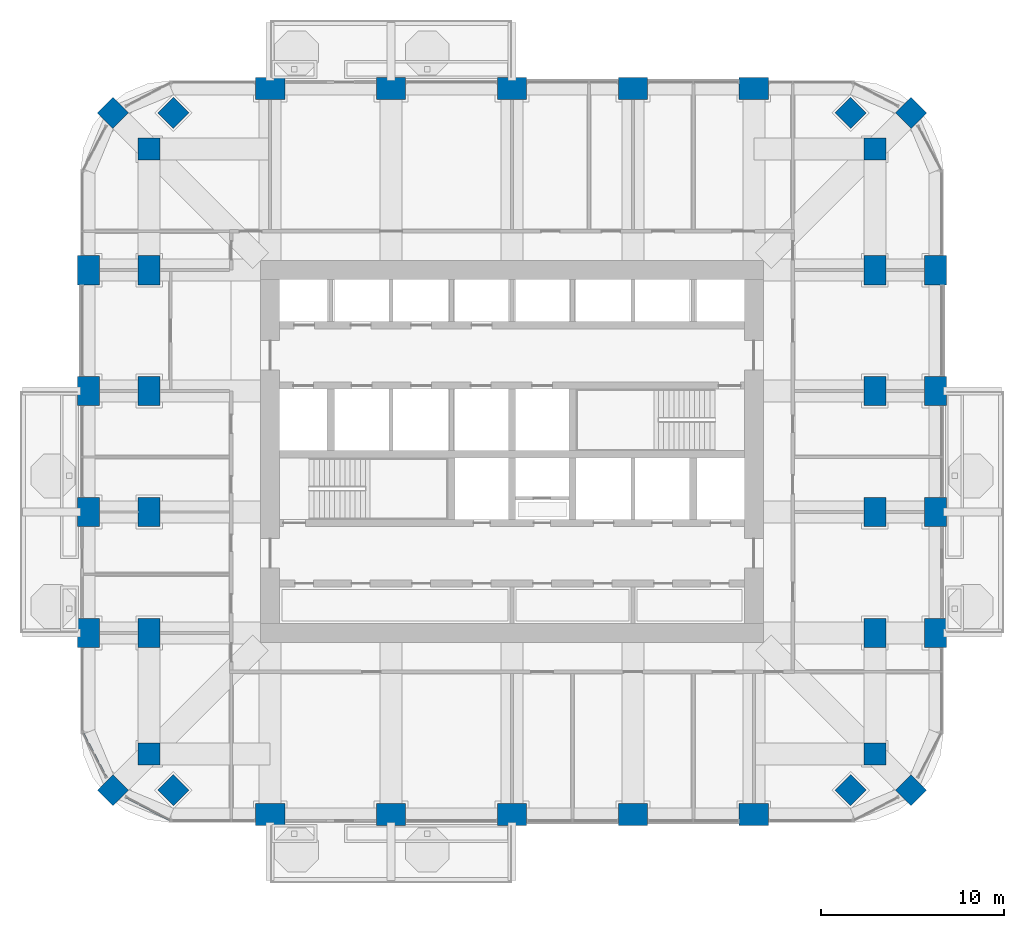
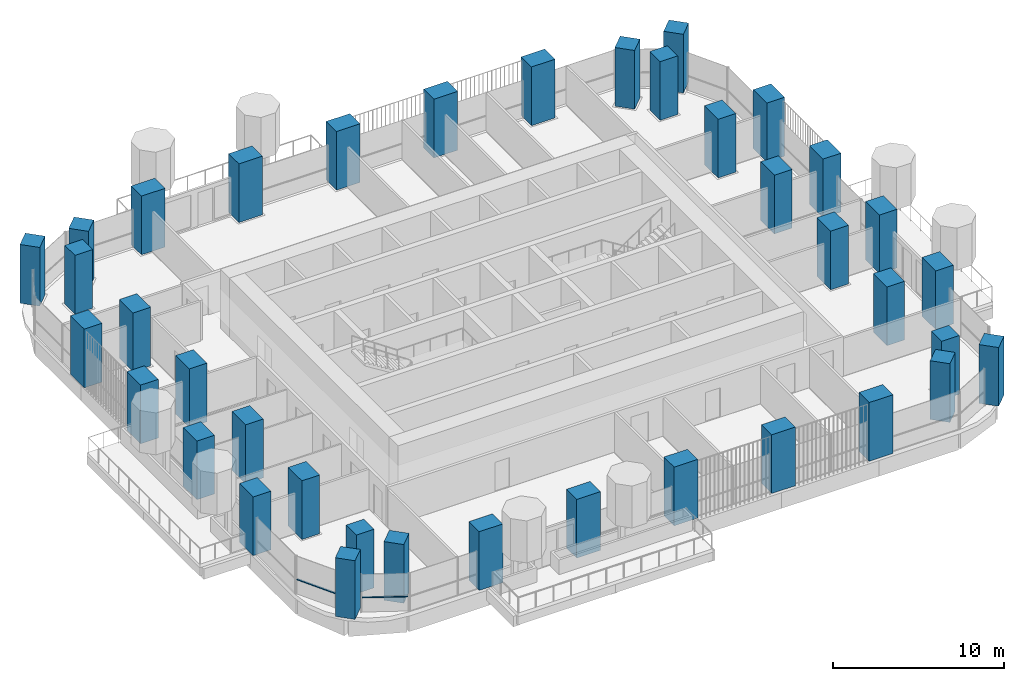
# One storey, part 1 of 20: 38 columns, 2 members, 2 elements without a shape of their own.
"""IFC4 building model written with IfcOpenShell, lengths in metres."""

from ifc_helpers import new_model, si_unit, direction, frame, origin, origin_2d, place, context, subcontext, project, spatial, rectangle, extrude, material, material_profile, profile_set, type_object, element, aggregate, save


model = new_model("IFC4")

# Units and contexts
model_context = context("Model", 3, precision=1e-05, world=origin(), true_north=direction((0.0, 1.0)))
body_context = subcontext(model_context, "Body", "Model", "MODEL_VIEW")
ifc_project = project(units=[si_unit("LENGTHUNIT", "METRE"), si_unit("AREAUNIT", "SQUARE_METRE"), si_unit("VOLUMEUNIT", "CUBIC_METRE"), si_unit("PLANEANGLEUNIT", "RADIAN"), si_unit("MASSUNIT", "GRAM", prefix="KILO")], contexts=[model_context])

# Site, building, storey
site_placement = place(None, origin())
site = spatial("IfcSite", under=ifc_project, at=site_placement, CompositionType="ELEMENT")
building_placement = place(site_placement, origin())
building = spatial("IfcBuilding", under=site, at=building_placement, Name="Cobogo Forest Laboratory Tower", CompositionType="ELEMENT")
storey_placement = place(building_placement, frame((0.0, 0.0, 168.300048828125)))
storey = spatial("IfcBuildingStorey", under=building, at=storey_placement, Name="L38", CompositionType="ELEMENT", Elevation=168.300048828125)

# Columns
ifc_material_1 = material(Name="Concrete HA-50 (C50/60)", Category="concrete")
ifc_material_profile_1 = material_profile(ifc_material_1, rectangle(XDim=1.60009765625, YDim=1.199951171875, at=origin_2d()), Name="RC 1200x1600")
ifc_profile_set_1 = profile_set([ifc_material_profile_1], Name="Concrete HA-50 (C50/60)")
column_type_1 = type_object("IfcColumnType", Name="Blade column 1200x1600", PredefinedType="COLUMN", material=ifc_profile_set_1)
for number, where, z_axis, x_axis, name in (
    (1, (13.199951171875, 3.300048828125, 0.0), (0.0, 0.0, 1.0), (1.0, 0.0, 0.0), "Column 3-A.1 L38"),
    (2, (19.800048828125, 3.300048828125, 0.0), (0.0, 0.0, 1.0), (1.0, 0.0, 0.0), "Column 4-A.1 L38"),
    (3, (26.39990234375, 3.300048828125, 0.0), (0.0, 0.0, 1.0), (1.0, 0.0, 0.0), "Column 5-A.1 L38"),
    (4, (33.0, 3.300048828125, 0.0), (0.0, 0.0, 1.0), (1.0, 0.0, 0.0), "Column 6-A.1 L38"),
    (5, (39.60009765625, 3.300048828125, 0.0), (0.0, 0.0, 1.0), (1.0, 0.0, 0.0), "Column 7-A.1 L38"),
    (6, (3.300048828125, 13.199951171875, 0.0), (0.0, 0.0, 1.0), (0.0, 1.0, 0.0), "Column 1.1-C L38"),
    (7, (49.5, 13.199951171875, 0.0), (0.0, 0.0, 1.0), (0.0, 1.0, 0.0), "Column 8.1-C L38"),
    (8, (3.300048828125, 19.800048828125, 0.0), (0.0, 0.0, 1.0), (0.0, 1.0, 0.0), "Column 1.1-D L38"),
    (9, (49.5, 19.800048828125, 0.0), (0.0, 0.0, 1.0), (0.0, 1.0, 0.0), "Column 8.1-D L38"),
    (10, (3.300048828125, 26.39990234375, 0.0), (0.0, 0.0, 1.0), (0.0, 1.0, 0.0), "Column 1.1-E L38"),
    (11, (49.5, 26.39990234375, 0.0), (0.0, 0.0, 1.0), (0.0, 1.0, 0.0), "Column 8.1-E L38"),
    (12, (3.300048828125, 33.0, 0.0), (0.0, 0.0, 1.0), (0.0, 1.0, 0.0), "Column 1.1-F L38"),
    (13, (49.5, 33.0, 0.0), (0.0, 0.0, 1.0), (0.0, 1.0, 0.0), "Column 8.1-F L38"),
    (14, (13.199951171875, 42.89990234375, 0.0), (0.0, 0.0, 1.0), (1.0, 0.0, 0.0), "Column 3-G.1 L38"),
    (15, (19.800048828125, 42.89990234375, 0.0), (0.0, 0.0, 1.0), (1.0, 0.0, 0.0), "Column 4-G.1 L38"),
    (16, (26.39990234375, 42.89990234375, 0.0), (0.0, 0.0, 1.0), (1.0, 0.0, 0.0), "Column 5-G.1 L38"),
    (17, (33.0, 42.89990234375, 0.0), (0.0, 0.0, 1.0), (1.0, 0.0, 0.0), "Column 6-G.1 L38"),
    (18, (39.60009765625, 42.89990234375, 0.0), (0.0, 0.0, 1.0), (1.0, 0.0, 0.0), "Column 7-G.1 L38"),
    (19, (6.60009765625, 13.199951171875, 0.0), (0.0, 0.0, 1.0), (0.0, 1.0, 0.0), "Column 2-C-D L38"),
    (20, (46.199951171875, 13.199951171875, 0.0), (0.0, 0.0, 1.0), (0.0, 1.0, 0.0), "Column 8-C-D L38"),
    (21, (6.60009765625, 19.800048828125, 0.0), (0.0, 0.0, 1.0), (0.0, 1.0, 0.0), "Column 2-D-D L38"),
    (22, (46.199951171875, 19.800048828125, 0.0), (0.0, 0.0, 1.0), (0.0, 1.0, 0.0), "Column 8-D-D L38"),
    (23, (6.60009765625, 26.39990234375, 0.0), (0.0, 0.0, 1.0), (0.0, 1.0, 0.0), "Column 2-E-D L38"),
    (24, (46.199951171875, 26.39990234375, 0.0), (0.0, 0.0, 1.0), (0.0, 1.0, 0.0), "Column 8-E-D L38"),
    (25, (6.60009765625, 33.0, 0.0), (0.0, 0.0, 1.0), (0.0, 1.0, 0.0), "Column 2-F-D L38"),
    (26, (46.199951171875, 33.0, 0.0), (0.0, 0.0, 1.0), (0.0, 1.0, 0.0), "Column 8-F-D L38"),
):
    element("IfcColumn", number, at=place(storey_placement, frame(where, z_axis=z_axis, x_axis=x_axis)), inside=storey, type_object=column_type_1, Name=name, PredefinedType="COLUMN", context=body_context, shape_type="SweptSolid", body=[
        extrude(rectangle(XDim=1.60009765625, YDim=1.199951171875, at=origin_2d()), origin(), (0.0, 0.0, 1.0), 4.199951171875),
    ])
ifc_material_profile_2 = material_profile(ifc_material_1, rectangle(XDim=1.199951171875, YDim=1.199951171875, at=origin_2d()), Name="RC 1200x1200")
ifc_profile_set_2 = profile_set([ifc_material_profile_2], Name="Concrete HA-50 (C50/60)")
column_type_2 = type_object("IfcColumnType", Name="Column 1200x1200", PredefinedType="COLUMN", material=ifc_profile_set_2)
for number, where, z_axis, x_axis, name in (
    (27, (4.617919921875, 4.617919921875, 0.0), (0.0, 0.0, 1.0), (0.707106781187, 0.707106781187, 0.0), "Column CNR-SW L38"),
    (28, (48.181884765625, 4.617919921875, 0.0), (0.0, 0.0, 1.0), (0.707106781187, 0.707106781187, 0.0), "Column CNR-SE L38"),
    (29, (4.617919921875, 41.58203125, 0.0), (0.0, 0.0, 1.0), (0.707106781187, 0.707106781187, 0.0), "Column CNR-NW L38"),
    (30, (48.181884765625, 41.58203125, 0.0), (0.0, 0.0, 1.0), (0.707106781187, 0.707106781187, 0.0), "Column CNR-NE L38"),
    (31, (6.60009765625, 6.60009765625, 0.0), (0.0, 0.0, 1.0), (1.0, 0.0, 0.0), "Column 2-B L38"),
    (32, (46.199951171875, 6.60009765625, 0.0), (0.0, 0.0, 1.0), (1.0, 0.0, 0.0), "Column 8-B L38"),
    (33, (6.60009765625, 39.60009765625, 0.0), (0.0, 0.0, 1.0), (1.0, 0.0, 0.0), "Column 2-G L38"),
    (34, (46.199951171875, 39.60009765625, 0.0), (0.0, 0.0, 1.0), (1.0, 0.0, 0.0), "Column 8-G L38"),
    (35, (7.91796875, 4.617919921875, 0.0), (0.0, 0.0, 1.0), (0.707106781187, 0.707106781187, 0.0), "Column CNR-SW-D L38"),
    (36, (44.882080078125, 4.617919921875, 0.0), (0.0, 0.0, 1.0), (0.707106781187, 0.707106781187, 0.0), "Column CNR-SE-D L38"),
    (37, (7.91796875, 41.58203125, 0.0), (0.0, 0.0, 1.0), (0.707106781187, 0.707106781187, 0.0), "Column CNR-NW-D L38"),
    (38, (44.882080078125, 41.58203125, 0.0), (0.0, 0.0, 1.0), (0.707106781187, 0.707106781187, 0.0), "Column CNR-NE-D L38"),
):
    element("IfcColumn", number, at=place(storey_placement, frame(where, z_axis=z_axis, x_axis=x_axis)), inside=storey, type_object=column_type_2, Name=name, PredefinedType="COLUMN", context=body_context, shape_type="SweptSolid", body=[
        extrude(rectangle(XDim=1.199951171875, YDim=1.199951171875, at=origin_2d()), origin(), (0.0, 0.0, 1.0), 4.199951171875),
    ])

# Curtain wall, member
ifc_material_2 = material(Name="Aluminium curtain wall", Category="aluminium")
curtain_wall_type = type_object("IfcCurtainWallType", Name="CW-2 unitised curtain wall, solar control glazing, laboratory floors zones C and D", PredefinedType="USERDEFINED", material=ifc_material_2)
curtain_wall_1_placement = place(storey_placement, origin())
curtain_wall_1 = element("IfcCurtainWall", 39, at=curtain_wall_1_placement, inside=storey, type_object=curtain_wall_type, Name="Curtain wall 29 L38", ObjectType="UNITISED CURTAIN WALL", PredefinedType="USERDEFINED")
ifc_material_3 = material(Name="Aluminium transom", Category="aluminium")
ifc_material_profile_3 = material_profile(ifc_material_3, rectangle(XDim=0.1201171875, YDim=0.06005859375, at=origin_2d()), Name="AL 60x120")
ifc_profile_set_3 = profile_set([ifc_material_profile_3], Name="Aluminium transom")
member_type = type_object("IfcMemberType", Name="TR-1 aluminium transom 60x120", PredefinedType="USERDEFINED", material=ifc_profile_set_3)
member_1_placement = place(storey_placement, frame((2.977783203125, 7.746826171875, 1.050048828125), z_axis=(0.464296684055, -0.885679732847, 0.0), x_axis=(0.885679732847, 0.464296684055, 0.0)))
member_1 = element("IfcMember", 40, at=member_1_placement, type_object=member_type, Name="CW-2 transom 1.1", ObjectType="TRANSOM", PredefinedType="USERDEFINED", context=body_context, shape_type="SweptSolid", body=[
    extrude(rectangle(XDim=0.1201171875, YDim=0.06005859375, at=origin_2d()), origin(), (0.0, 0.0, 1.0), 2.7080078125),
])
aggregate(curtain_wall_1, [member_1])

curtain_wall_2_placement = place(storey_placement, origin())
curtain_wall_2 = element("IfcCurtainWall", 41, at=curtain_wall_2_placement, inside=storey, type_object=curtain_wall_type, Name="Curtain wall 30 L38", ObjectType="UNITISED CURTAIN WALL", PredefinedType="USERDEFINED")
member_2_placement = place(storey_placement, frame((5.348388671875, 4.235107421875, 1.050048828125), z_axis=(0.885679732847, -0.464296684055, 0.0), x_axis=(0.464296684055, 0.885679732847, 0.0)))
member_2 = element("IfcMember", 42, at=member_2_placement, type_object=member_type, Name="CW-2 transom 1.1", ObjectType="TRANSOM", PredefinedType="USERDEFINED", context=body_context, shape_type="SweptSolid", body=[
    extrude(rectangle(XDim=0.1201171875, YDim=0.06005859375, at=origin_2d()), origin(), (0.0, 0.0, 1.0), 2.7080078125),
])
aggregate(curtain_wall_2, [member_2])

save(model, "model.ifc")
